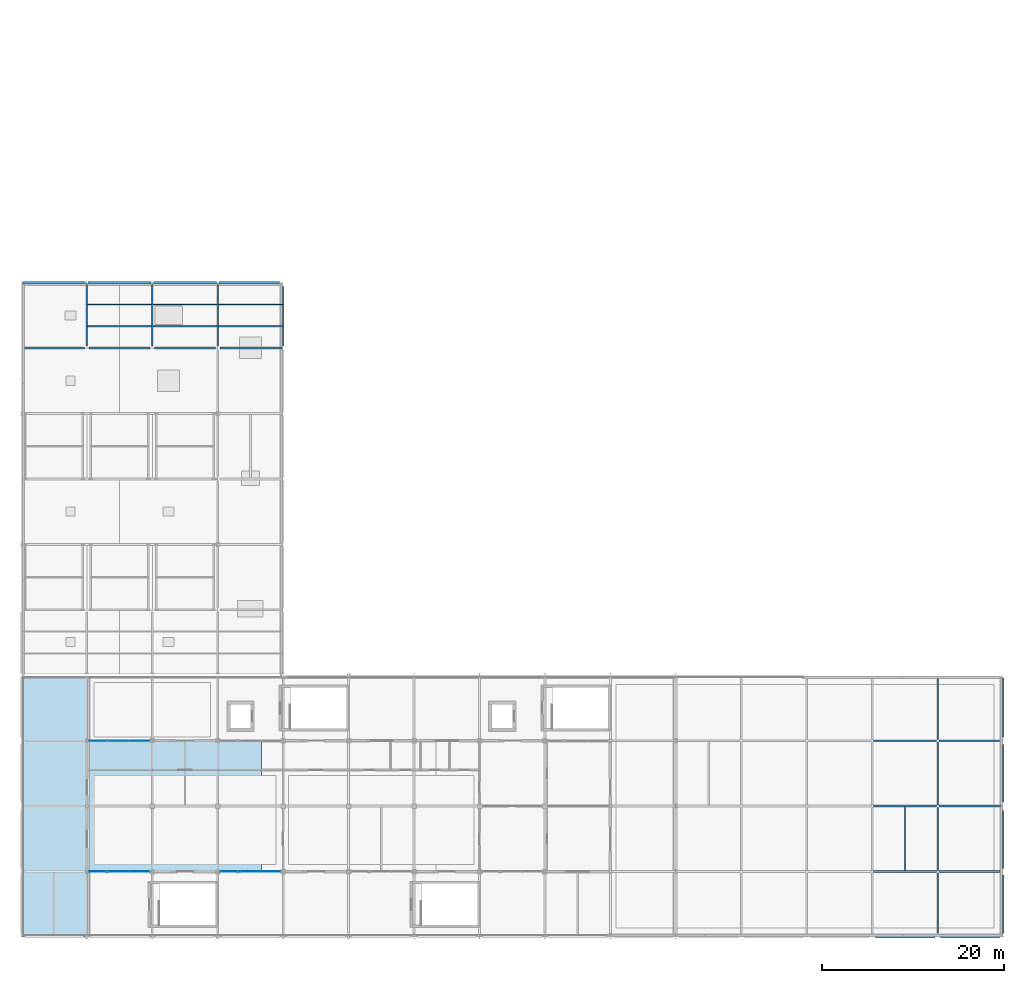
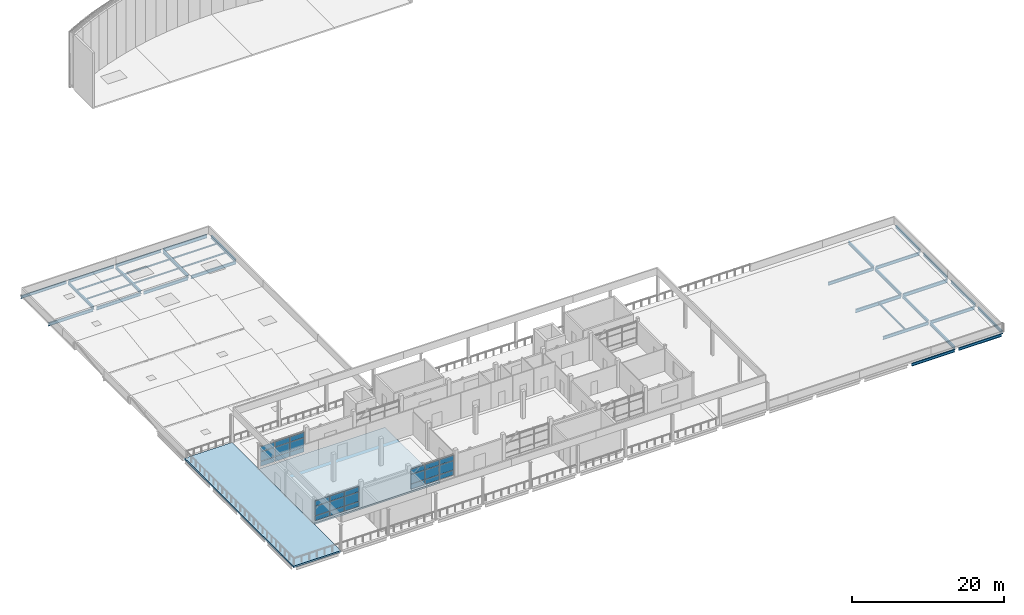
# One storey, part 15 of 32: 29 beams, 27 plates, 6 members, 2 slabs, 3 elements without a shape of their own.
"""IFC4 building model written with IfcOpenShell, lengths in metres."""

from ifc_helpers import new_model, si_unit, direction, frame, origin, origin_2d, place, context, subcontext, project, spatial, polyline, rectangle, i_section, outline, extrude, material, layer, layer_set, material_profile, profile_set, type_object, element, aggregate, save


model = new_model("IFC4")

# Units and contexts
model_context = context("Model", 3, precision=1e-05, world=origin(), true_north=direction((0.0, 1.0)))
body_context = subcontext(model_context, "Body", "Model", "MODEL_VIEW")
ifc_project = project(units=[si_unit("LENGTHUNIT", "METRE"), si_unit("AREAUNIT", "SQUARE_METRE"), si_unit("VOLUMEUNIT", "CUBIC_METRE"), si_unit("PLANEANGLEUNIT", "RADIAN"), si_unit("MASSUNIT", "GRAM", prefix="KILO")], contexts=[model_context])

# Site, building, storey
site_placement = place(None, origin())
site = spatial("IfcSite", under=ifc_project, at=site_placement, CompositionType="ELEMENT")
building_placement = place(site_placement, origin())
building = spatial("IfcBuilding", under=site, at=building_placement, Name="Sardonyx Promenade Sports Hall", CompositionType="ELEMENT")
storey_placement = place(building_placement, frame((0.0, 0.0, 20.39990234375)))
storey = spatial("IfcBuildingStorey", under=building, at=storey_placement, Name="L04", CompositionType="ELEMENT", Elevation=20.39990234375)

# Beams
ifc_material_1 = material(Name="Steel S355JR", Category="steel")
ifc_material_profile_1 = material_profile(ifc_material_1, i_section(OverallWidth=0.135009765625, OverallDepth=0.27001953125, WebThickness=0.006591796875, FlangeThickness=0.01025390625, at=origin_2d()))
ifc_profile_set_1 = profile_set([ifc_material_profile_1], Name="Steel S355JR")
beam_type_1 = type_object("IfcBeamType", Name="Bm_Joist_IPE270", PredefinedType="JOIST", material=ifc_profile_set_1)
beam_1_placement = place(storey_placement, frame((97.199951171875, 7.300048828125, -0.39501953125), z_axis=(0.0, 1.0, 0.0), x_axis=(-1.0, 0.0, 0.0)))
element("IfcBeam", 1, at=beam_1_placement, inside=storey, type_object=beam_type_1, Name="Secondary joist SJ01 L04 #1098", PredefinedType="JOIST", context=body_context, shape_type="SweptSolid", body=[
    extrude(i_section(OverallWidth=0.135009765625, OverallDepth=0.27001953125, WebThickness=0.006591796875, FlangeThickness=0.01025390625, at=origin_2d()), origin(), (0.0, 0.0, 1.0), 6.994873046875),
])
ifc_material_2 = material(Name="Steel S355JR", Category="steel")
ifc_material_profile_2 = material_profile(ifc_material_2, i_section(OverallWidth=0.199951171875, OverallDepth=0.5, WebThickness=0.01025390625, FlangeThickness=0.01611328125, at=origin_2d()))
ifc_profile_set_2 = profile_set([ifc_material_profile_2], Name="Steel S355JR")
beam_type_2 = type_object("IfcBeamType", Name="Bm_Primary_IPE500", PredefinedType="BEAM", material=ifc_profile_set_2)
beam_2_placement = place(storey_placement, frame((93.75, 7.199951171875, -0.510009765625), z_axis=(1.0, 0.0, 0.0), x_axis=(0.0, 1.0, 0.0)))
element("IfcBeam", 2, at=beam_2_placement, inside=storey, type_object=beam_type_2, Name="Beam SB06 L04 #964", PredefinedType="BEAM", context=body_context, shape_type="SweptSolid", body=[
    extrude(i_section(OverallWidth=0.199951171875, OverallDepth=0.5, WebThickness=0.01025390625, FlangeThickness=0.01611328125, at=origin_2d()), origin(), (0.0, 0.0, 1.0), 6.89990234375),
])
beam_3_placement = place(storey_placement, frame((100.949951171875, 7.199951171875, -0.510009765625), z_axis=(1.0, 0.0, 0.0), x_axis=(0.0, 1.0, 0.0)))
element("IfcBeam", 3, at=beam_3_placement, inside=storey, type_object=beam_type_2, Name="Beam SB06 L04 #965", PredefinedType="BEAM", context=body_context, shape_type="SweptSolid", body=[
    extrude(i_section(OverallWidth=0.199951171875, OverallDepth=0.5, WebThickness=0.01025390625, FlangeThickness=0.01611328125, at=origin_2d()), origin(), (0.0, 0.0, 1.0), 6.699951171875),
])
beam_4_placement = place(storey_placement, frame((93.75, 21.60009765625, -0.510009765625), z_axis=(1.0, 0.0, 0.0), x_axis=(0.0, 1.0, 0.0)))
element("IfcBeam", 4, at=beam_4_placement, inside=storey, type_object=beam_type_2, Name="Beam SB06 L04 #994", PredefinedType="BEAM", context=body_context, shape_type="SweptSolid", body=[
    extrude(i_section(OverallWidth=0.199951171875, OverallDepth=0.5, WebThickness=0.01025390625, FlangeThickness=0.01611328125, at=origin_2d()), origin(), (0.0, 0.0, 1.0), 6.89990234375),
])
beam_5_placement = place(storey_placement, frame((100.949951171875, 21.60009765625, -0.510009765625), z_axis=(1.0, 0.0, 0.0), x_axis=(0.0, 1.0, 0.0)))
element("IfcBeam", 5, at=beam_5_placement, inside=storey, type_object=beam_type_2, Name="Beam SB06 L04 #995", PredefinedType="BEAM", context=body_context, shape_type="SweptSolid", body=[
    extrude(i_section(OverallWidth=0.199951171875, OverallDepth=0.5, WebThickness=0.01025390625, FlangeThickness=0.01611328125, at=origin_2d()), origin(), (0.0, 0.0, 1.0), 6.650146484375),
])
beam_6_placement = place(storey_placement, frame((0.14990234375, 64.800048828125, -0.47998046875), z_axis=(1.0, 0.0, 0.0), x_axis=(0.0, 1.0, 0.0)))
element("IfcBeam", 6, at=beam_6_placement, inside=storey, type_object=beam_type_2, Name="Beam SB06 L04 #1003", PredefinedType="BEAM", context=body_context, shape_type="SweptSolid", body=[
    extrude(i_section(OverallWidth=0.199951171875, OverallDepth=0.5, WebThickness=0.01025390625, FlangeThickness=0.01611328125, at=origin_2d()), origin(), (0.0, 0.0, 1.0), 6.800048828125),
])
beam_7_placement = place(storey_placement, frame((7.449951171875, 64.800048828125, -0.47998046875), z_axis=(1.0, 0.0, 0.0), x_axis=(0.0, 1.0, 0.0)))
element("IfcBeam", 7, at=beam_7_placement, inside=storey, type_object=beam_type_2, Name="Beam SB06 L04 #1004", PredefinedType="BEAM", context=body_context, shape_type="SweptSolid", body=[
    extrude(i_section(OverallWidth=0.199951171875, OverallDepth=0.5, WebThickness=0.01025390625, FlangeThickness=0.01611328125, at=origin_2d()), origin(), (0.0, 0.0, 1.0), 6.699951171875),
])
beam_8_placement = place(storey_placement, frame((14.64990234375, 64.800048828125, -0.47998046875), z_axis=(1.0, 0.0, 0.0), x_axis=(0.0, 1.0, 0.0)))
element("IfcBeam", 8, at=beam_8_placement, inside=storey, type_object=beam_type_2, Name="Beam SB06 L04 #1005", PredefinedType="BEAM", context=body_context, shape_type="SweptSolid", body=[
    extrude(i_section(OverallWidth=0.199951171875, OverallDepth=0.5, WebThickness=0.01025390625, FlangeThickness=0.01611328125, at=origin_2d()), origin(), (0.0, 0.0, 1.0), 6.7001953125),
])
beam_9_placement = place(storey_placement, frame((21.85009765625, 64.800048828125, -0.47998046875), z_axis=(1.0, 0.0, 0.0), x_axis=(0.0, 1.0, 0.0)))
element("IfcBeam", 9, at=beam_9_placement, inside=storey, type_object=beam_type_2, Name="Beam SB06 L04 #1006", PredefinedType="BEAM", context=body_context, shape_type="SweptSolid", body=[
    extrude(i_section(OverallWidth=0.199951171875, OverallDepth=0.5, WebThickness=0.01025390625, FlangeThickness=0.01611328125, at=origin_2d()), origin(), (0.0, 0.0, 1.0), 6.7998046875),
])
for number, where, z_axis, x_axis, name in (
    (10, (7.199951171875, 65.050048828125, -0.47998046875), (0.0, 1.0, 0.0), (-1.0, 0.0, 0.0), "Beam SB06 L04 #1021"),
    (11, (14.39990234375, 65.050048828125, -0.47998046875), (0.0, 1.0, 0.0), (-1.0, 0.0, 0.0), "Beam SB06 L04 #1027"),
    (12, (21.60009765625, 65.050048828125, -0.47998046875), (0.0, 1.0, 0.0), (-1.0, 0.0, 0.0), "Beam SB06 L04 #1037"),
):
    element("IfcBeam", number, at=place(storey_placement, frame(where, z_axis=z_axis, x_axis=x_axis)), inside=storey, type_object=beam_type_2, Name=name, PredefinedType="BEAM", context=body_context, shape_type="SweptSolid", body=[
        extrude(i_section(OverallWidth=0.199951171875, OverallDepth=0.5, WebThickness=0.01025390625, FlangeThickness=0.01611328125, at=origin_2d()), origin(), (0.0, 0.0, 1.0), 6.72998046875),
    ])
beam_10_placement = place(storey_placement, frame((28.800048828125, 65.02001953125, -0.47998046875), z_axis=(0.0, 1.0, 0.0), x_axis=(-1.0, 0.0, 0.0)))
element("IfcBeam", 13, at=beam_10_placement, inside=storey, type_object=beam_type_2, Name="Beam SB06 L04 #1047", PredefinedType="BEAM", context=body_context, shape_type="SweptSolid", body=[
    extrude(i_section(OverallWidth=0.199951171875, OverallDepth=0.5, WebThickness=0.01025390625, FlangeThickness=0.01611328125, at=origin_2d()), origin(), (0.0, 0.0, 1.0), 6.530029296875),
])
beam_11_placement = place(storey_placement, frame((100.800048828125, 0.449951171875, -0.510009765625), z_axis=(0.0, 1.0, 0.0), x_axis=(-1.0, 0.0, 0.0)))
element("IfcBeam", 14, at=beam_11_placement, inside=storey, type_object=beam_type_2, Name="Beam SB06 L04 #1084", PredefinedType="BEAM", context=body_context, shape_type="SweptSolid", body=[
    extrude(i_section(OverallWidth=0.199951171875, OverallDepth=0.5, WebThickness=0.01025390625, FlangeThickness=0.01611328125, at=origin_2d()), origin(), (0.0, 0.0, 1.0), 6.60009765625),
])
for number, where, z_axis, x_axis, name in (
    (15, (100.800048828125, 7.35009765625, -0.510009765625), (0.0, 1.0, 0.0), (-1.0, 0.0, 0.0), "Beam SB06 L04 #1085"),
    (16, (100.800048828125, 14.550048828125, -0.510009765625), (0.0, 1.0, 0.0), (-1.0, 0.0, 0.0), "Beam SB06 L04 #1086"),
):
    element("IfcBeam", number, at=place(storey_placement, frame(where, z_axis=z_axis, x_axis=x_axis)), inside=storey, type_object=beam_type_2, Name=name, PredefinedType="BEAM", context=body_context, shape_type="SweptSolid", body=[
        extrude(i_section(OverallWidth=0.199951171875, OverallDepth=0.5, WebThickness=0.01025390625, FlangeThickness=0.01611328125, at=origin_2d()), origin(), (0.0, 0.0, 1.0), 6.89990234375),
    ])
beam_12_placement = place(storey_placement, frame((100.800048828125, 21.75, -0.510009765625), z_axis=(0.0, 1.0, 0.0), x_axis=(-1.0, 0.0, 0.0)))
element("IfcBeam", 17, at=beam_12_placement, inside=storey, type_object=beam_type_2, Name="Beam SB06 L04 #1087", PredefinedType="BEAM", context=body_context, shape_type="SweptSolid", body=[
    extrude(i_section(OverallWidth=0.199951171875, OverallDepth=0.5, WebThickness=0.01025390625, FlangeThickness=0.01611328125, at=origin_2d()), origin(), (0.0, 0.0, 1.0), 6.75),
])
ifc_material_3 = material(Name="Steel S355JR", Category="steel")
ifc_material_profile_3 = material_profile(ifc_material_3, i_section(OverallWidth=0.2099609375, OverallDepth=0.550048828125, WebThickness=0.010986328125, FlangeThickness=0.01708984375, at=origin_2d()))
ifc_profile_set_3 = profile_set([ifc_material_profile_3], Name="Steel S355JR")
beam_type_3 = type_object("IfcBeamType", Name="Bm_Primary_IPE550", PredefinedType="BEAM", material=ifc_profile_set_3)
beam_13_placement = place(storey_placement, frame((93.75, 14.39990234375, -0.534912109375), z_axis=(1.0, 0.0, 0.0), x_axis=(0.0, 1.0, 0.0)))
element("IfcBeam", 18, at=beam_13_placement, inside=storey, type_object=beam_type_3, Name="Beam SB03 L04 #979", PredefinedType="BEAM", context=body_context, shape_type="SweptSolid", body=[
    extrude(i_section(OverallWidth=0.2099609375, OverallDepth=0.550048828125, WebThickness=0.010986328125, FlangeThickness=0.01708984375, at=origin_2d()), origin(), (0.0, 0.0, 1.0), 6.89990234375),
])
beam_14_placement = place(storey_placement, frame((100.949951171875, 14.39990234375, -0.534912109375), z_axis=(1.0, 0.0, 0.0), x_axis=(0.0, 1.0, 0.0)))
element("IfcBeam", 19, at=beam_14_placement, inside=storey, type_object=beam_type_3, Name="Beam SB03 L04 #980", PredefinedType="BEAM", context=body_context, shape_type="SweptSolid", body=[
    extrude(i_section(OverallWidth=0.2099609375, OverallDepth=0.550048828125, WebThickness=0.010986328125, FlangeThickness=0.01708984375, at=origin_2d()), origin(), (0.0, 0.0, 1.0), 6.75),
])
beam_15_placement = place(storey_placement, frame((21.75, 72.0, -0.5048828125), z_axis=(1.0, 0.0, 0.0), x_axis=(0.0, 1.0, 0.0)))
element("IfcBeam", 20, at=beam_15_placement, inside=storey, type_object=beam_type_3, Name="Beam SB03 L04 #1010", PredefinedType="BEAM", context=body_context, shape_type="SweptSolid", body=[
    extrude(i_section(OverallWidth=0.2099609375, OverallDepth=0.550048828125, WebThickness=0.010986328125, FlangeThickness=0.01708984375, at=origin_2d()), origin(), (0.0, 0.0, 1.0), 6.64990234375),
])
ifc_material_4 = material(Name="Steel S355JR", Category="steel")
ifc_material_profile_4 = material_profile(ifc_material_4, i_section(OverallWidth=0.18994140625, OverallDepth=0.449951171875, WebThickness=0.009521484375, FlangeThickness=0.0146484375, at=origin_2d()))
ifc_profile_set_4 = profile_set([ifc_material_profile_4], Name="Steel S355JR")
beam_type_4 = type_object("IfcBeamType", Name="Bm_Spandrel_Steel", PredefinedType="SPANDREL", material=ifc_profile_set_4)
beam_16_placement = place(storey_placement, frame((93.949951171875, 0.0, -0.48486328125), z_axis=(1.0, 0.0, 0.0), x_axis=(0.0, 1.0, 0.0)))
element("IfcBeam", 21, at=beam_16_placement, inside=storey, type_object=beam_type_4, Name="Beam SPB3 L04 #949", PredefinedType="SPANDREL", context=body_context, shape_type="SweptSolid", body=[
    extrude(i_section(OverallWidth=0.18994140625, OverallDepth=0.449951171875, WebThickness=0.009521484375, FlangeThickness=0.0146484375, at=origin_2d()), origin(), (0.0, 0.0, 1.0), 6.550048828125),
])
beam_17_placement = place(storey_placement, frame((101.10009765625, 0.0, -0.48486328125), z_axis=(1.0, 0.0, 0.0), x_axis=(0.0, 1.0, 0.0)))
element("IfcBeam", 22, at=beam_17_placement, inside=storey, type_object=beam_type_4, Name="Beam SPB3 L04 #950", PredefinedType="SPANDREL", context=body_context, shape_type="SweptSolid", body=[
    extrude(i_section(OverallWidth=0.18994140625, OverallDepth=0.449951171875, WebThickness=0.009521484375, FlangeThickness=0.0146484375, at=origin_2d()), origin(), (0.0, 0.0, 1.0), 6.5),
])
beam_18_placement = place(storey_placement, frame((0.14990234375, 72.0, -0.454833984375), z_axis=(1.0, 0.0, 0.0), x_axis=(0.0, 1.0, 0.0)))
element("IfcBeam", 23, at=beam_18_placement, inside=storey, type_object=beam_type_4, Name="Beam SPB3 L04 #1007", PredefinedType="SPANDREL", context=body_context, shape_type="SweptSolid", body=[
    extrude(i_section(OverallWidth=0.18994140625, OverallDepth=0.449951171875, WebThickness=0.009521484375, FlangeThickness=0.0146484375, at=origin_2d()), origin(), (0.0, 0.0, 1.0), 6.900146484375),
])
for number, where, z_axis, x_axis, name in (
    (24, (7.35009765625, 72.0, -0.454833984375), (1.0, 0.0, 0.0), (0.0, 1.0, 0.0), "Beam SPB3 L04 #1008"),
    (25, (14.550048828125, 72.0, -0.454833984375), (1.0, 0.0, 0.0), (0.0, 1.0, 0.0), "Beam SPB3 L04 #1009"),
):
    element("IfcBeam", number, at=place(storey_placement, frame(where, z_axis=z_axis, x_axis=x_axis)), inside=storey, type_object=beam_type_4, Name=name, PredefinedType="SPANDREL", context=body_context, shape_type="SweptSolid", body=[
        extrude(i_section(OverallWidth=0.18994140625, OverallDepth=0.449951171875, WebThickness=0.009521484375, FlangeThickness=0.0146484375, at=origin_2d()), origin(), (0.0, 0.0, 1.0), 6.89990234375),
    ])
beam_19_placement = place(storey_placement, frame((108.0, 0.39990234375, -0.48486328125), z_axis=(0.0, 1.0, 0.0), x_axis=(-1.0, 0.0, 0.0)))
element("IfcBeam", 26, at=beam_19_placement, inside=storey, type_object=beam_type_4, Name="Beam SPB3 L04 #1088", PredefinedType="SPANDREL", context=body_context, shape_type="SweptSolid", body=[
    extrude(i_section(OverallWidth=0.18994140625, OverallDepth=0.449951171875, WebThickness=0.009521484375, FlangeThickness=0.0146484375, at=origin_2d()), origin(), (0.0, 0.0, 1.0), 6.4501953125),
])
beam_20_placement = place(storey_placement, frame((108.0, 7.550048828125, -0.48486328125), z_axis=(0.0, 1.0, 0.0), x_axis=(-1.0, 0.0, 0.0)))
element("IfcBeam", 27, at=beam_20_placement, inside=storey, type_object=beam_type_4, Name="Beam SPB3 L04 #1089", PredefinedType="SPANDREL", context=body_context, shape_type="SweptSolid", body=[
    extrude(i_section(OverallWidth=0.18994140625, OverallDepth=0.449951171875, WebThickness=0.009521484375, FlangeThickness=0.0146484375, at=origin_2d()), origin(), (0.0, 0.0, 1.0), 6.39990234375),
])
beam_21_placement = place(storey_placement, frame((108.0, 14.85009765625, -0.48486328125), z_axis=(0.0, 1.0, 0.0), x_axis=(-1.0, 0.0, 0.0)))
element("IfcBeam", 28, at=beam_21_placement, inside=storey, type_object=beam_type_4, Name="Beam SPB3 L04 #1090", PredefinedType="SPANDREL", context=body_context, shape_type="SweptSolid", body=[
    extrude(i_section(OverallWidth=0.18994140625, OverallDepth=0.449951171875, WebThickness=0.009521484375, FlangeThickness=0.0146484375, at=origin_2d()), origin(), (0.0, 0.0, 1.0), 6.349853515625),
])
beam_22_placement = place(storey_placement, frame((108.0, 22.0, -0.48486328125), z_axis=(0.0, 1.0, 0.0), x_axis=(-1.0, 0.0, 0.0)))
element("IfcBeam", 29, at=beam_22_placement, inside=storey, type_object=beam_type_4, Name="Beam SPB3 L04 #1091", PredefinedType="SPANDREL", context=body_context, shape_type="SweptSolid", body=[
    extrude(i_section(OverallWidth=0.18994140625, OverallDepth=0.449951171875, WebThickness=0.009521484375, FlangeThickness=0.0146484375, at=origin_2d()), origin(), (0.0, 0.0, 1.0), 6.5),
])

# Members
ifc_material_5 = material(Name="Steel S355JR", Category="steel")
ifc_material_profile_5 = material_profile(ifc_material_5, i_section(OverallWidth=0.1201171875, OverallDepth=0.239990234375, WebThickness=0.006103515625, FlangeThickness=0.009765625, at=origin_2d()))
ifc_profile_set_5 = profile_set([ifc_material_profile_5], Name="Steel S355JR")
member_type = type_object("IfcMemberType", Name="Mbr_Purlin_IPE240", PredefinedType="PURLIN", material=ifc_profile_set_5)
for number, where, z_axis, x_axis, name in (
    (30, (7.298095703125, 67.199951171875, -0.349853515625), (1.0, 0.0, 0.0), (0.0, 1.0, 0.0), "Roof purlin PR01 L04 #5"),
    (31, (7.298095703125, 69.60009765625, -0.349853515625), (1.0, 0.0, 0.0), (0.0, 1.0, 0.0), "Roof purlin PR01 L04 #6"),
    (32, (14.498046875, 67.199951171875, -0.349853515625), (1.0, 0.0, 0.0), (0.0, 1.0, 0.0), "Roof purlin PR01 L04 #9"),
    (33, (14.498046875, 69.60009765625, -0.349853515625), (1.0, 0.0, 0.0), (0.0, 1.0, 0.0), "Roof purlin PR01 L04 #10"),
    (34, (21.697998046875, 67.199951171875, -0.349853515625), (1.0, 0.0, 0.0), (0.0, 1.0, 0.0), "Roof purlin PR01 L04 #13"),
    (35, (21.697998046875, 69.60009765625, -0.349853515625), (1.0, 0.0, 0.0), (0.0, 1.0, 0.0), "Roof purlin PR01 L04 #14"),
):
    element("IfcMember", number, at=place(storey_placement, frame(where, z_axis=z_axis, x_axis=x_axis)), inside=storey, type_object=member_type, Name=name, PredefinedType="PURLIN", context=body_context, shape_type="SweptSolid", body=[
        extrude(i_section(OverallWidth=0.1201171875, OverallDepth=0.239990234375, WebThickness=0.006103515625, FlangeThickness=0.009765625, at=origin_2d()), origin(), (0.0, 0.0, 1.0), 7.00390625),
    ])

# Curtain wall, plates
ifc_material_6 = material(Name="Aluminium 6063-T6", Category="aluminium")
curtain_wall_type = type_object("IfcCurtainWallType", Name="CW_Pavilion_L04_640", PredefinedType="USERDEFINED", material=ifc_material_6)
curtain_wall_1_placement = place(storey_placement, origin())
curtain_wall_1 = element("IfcCurtainWall", 36, at=curtain_wall_1_placement, inside=storey, type_object=curtain_wall_type, Name="Curtain wall CW10 cw:L04:168", ObjectType="CURTAIN WALL", PredefinedType="USERDEFINED")
ifc_material_7 = material(Name="Triple-glazed harbour solar IGU 40 mm", Category="glass")
ifc_layer_1 = layer(ifc_material_7, 0.0400390625)
ifc_layer_set_1 = layer_set([ifc_layer_1], Name="CW_Pan_Glz_40")
plate_type = type_object("IfcPlateType", Name="CW_Pan_Glz_40", PredefinedType="CURTAIN_PANEL", material=ifc_layer_set_1)
plate_1_placement = place(storey_placement, frame((8.526611328125, 21.60009765625, 0.35986328125), z_axis=(0.0, 0.0, 1.0), x_axis=(1.0, 0.0, 0.0)))
plate_1 = element("IfcPlate", 37, at=plate_1_placement, type_object=plate_type, Name="Curtain panel CP04 cw:L04:168 #1", PredefinedType="CURTAIN_PANEL", context=body_context, shape_type="SweptSolid", body=[
    extrude(rectangle(XDim=2.16943359375, YDim=0.0400390625, at=origin_2d()), origin(), (0.0, 0.0, 1.0), 0.760009765625),
])
plate_2_placement = place(storey_placement, frame((8.526611328125, 21.60009765625, 1.18017578125), z_axis=(0.0, 0.0, 1.0), x_axis=(1.0, 0.0, 0.0)))
plate_2 = element("IfcPlate", 38, at=plate_2_placement, type_object=plate_type, Name="Curtain panel CP04 cw:L04:168 #2", PredefinedType="CURTAIN_PANEL", context=body_context, shape_type="SweptSolid", body=[
    extrude(rectangle(XDim=2.16943359375, YDim=0.0400390625, at=origin_2d()), origin(), (0.0, 0.0, 1.0), 1.489990234375),
])
plate_3_placement = place(storey_placement, frame((8.526611328125, 21.60009765625, 2.72998046875), z_axis=(0.0, 0.0, 1.0), x_axis=(1.0, 0.0, 0.0)))
plate_3 = element("IfcPlate", 39, at=plate_3_placement, type_object=plate_type, Name="Curtain panel CP04 cw:L04:168 #3", PredefinedType="CURTAIN_PANEL", context=body_context, shape_type="SweptSolid", body=[
    extrude(rectangle(XDim=2.16943359375, YDim=0.0400390625, at=origin_2d()), origin(), (0.0, 0.0, 1.0), 0.81005859375),
])
plate_4_placement = place(storey_placement, frame((10.755859375, 21.60009765625, 0.35986328125), z_axis=(0.0, 0.0, 1.0), x_axis=(1.0, 0.0, 0.0)))
plate_4 = element("IfcPlate", 40, at=plate_4_placement, type_object=plate_type, Name="Curtain panel CP04 cw:L04:168 #4", PredefinedType="CURTAIN_PANEL", context=body_context, shape_type="SweptSolid", body=[
    extrude(rectangle(XDim=2.16943359375, YDim=0.0400390625, at=origin_2d()), origin(), (0.0, 0.0, 1.0), 0.760009765625),
])
plate_5_placement = place(storey_placement, frame((10.755859375, 21.60009765625, 1.18017578125), z_axis=(0.0, 0.0, 1.0), x_axis=(1.0, 0.0, 0.0)))
plate_5 = element("IfcPlate", 41, at=plate_5_placement, type_object=plate_type, Name="Curtain panel CP04 cw:L04:168 #5", PredefinedType="CURTAIN_PANEL", context=body_context, shape_type="SweptSolid", body=[
    extrude(rectangle(XDim=2.16943359375, YDim=0.0400390625, at=origin_2d()), origin(), (0.0, 0.0, 1.0), 1.489990234375),
])
plate_6_placement = place(storey_placement, frame((10.755859375, 21.60009765625, 2.72998046875), z_axis=(0.0, 0.0, 1.0), x_axis=(1.0, 0.0, 0.0)))
plate_6 = element("IfcPlate", 42, at=plate_6_placement, type_object=plate_type, Name="Curtain panel CP04 cw:L04:168 #6", PredefinedType="CURTAIN_PANEL", context=body_context, shape_type="SweptSolid", body=[
    extrude(rectangle(XDim=2.16943359375, YDim=0.0400390625, at=origin_2d()), origin(), (0.0, 0.0, 1.0), 0.81005859375),
])
plate_7_placement = place(storey_placement, frame((12.9853515625, 21.60009765625, 0.35986328125), z_axis=(0.0, 0.0, 1.0), x_axis=(1.0, 0.0, 0.0)))
plate_7 = element("IfcPlate", 43, at=plate_7_placement, type_object=plate_type, Name="Curtain panel CP04 cw:L04:168 #7", PredefinedType="CURTAIN_PANEL", context=body_context, shape_type="SweptSolid", body=[
    extrude(rectangle(XDim=2.16943359375, YDim=0.0400390625, at=origin_2d()), origin(), (0.0, 0.0, 1.0), 0.760009765625),
])
plate_8_placement = place(storey_placement, frame((12.9853515625, 21.60009765625, 1.18017578125), z_axis=(0.0, 0.0, 1.0), x_axis=(1.0, 0.0, 0.0)))
plate_8 = element("IfcPlate", 44, at=plate_8_placement, type_object=plate_type, Name="Curtain panel CP04 cw:L04:168 #8", PredefinedType="CURTAIN_PANEL", context=body_context, shape_type="SweptSolid", body=[
    extrude(rectangle(XDim=2.16943359375, YDim=0.0400390625, at=origin_2d()), origin(), (0.0, 0.0, 1.0), 1.489990234375),
])
plate_9_placement = place(storey_placement, frame((12.9853515625, 21.60009765625, 2.72998046875), z_axis=(0.0, 0.0, 1.0), x_axis=(1.0, 0.0, 0.0)))
plate_9 = element("IfcPlate", 45, at=plate_9_placement, type_object=plate_type, Name="Curtain panel CP04 cw:L04:168 #9", PredefinedType="CURTAIN_PANEL", context=body_context, shape_type="SweptSolid", body=[
    extrude(rectangle(XDim=2.16943359375, YDim=0.0400390625, at=origin_2d()), origin(), (0.0, 0.0, 1.0), 0.81005859375),
])
aggregate(curtain_wall_1, [plate_1, plate_2, plate_3, plate_4, plate_5, plate_6, plate_7, plate_8, plate_9])

curtain_wall_2_placement = place(storey_placement, origin())
curtain_wall_2 = element("IfcCurtainWall", 46, at=curtain_wall_2_placement, inside=storey, type_object=curtain_wall_type, Name="Curtain wall CW10 cw:L04:173", ObjectType="CURTAIN WALL", PredefinedType="USERDEFINED")
plate_10_placement = place(storey_placement, frame((27.39990234375, 7.199951171875, 0.35986328125), z_axis=(0.0, 0.0, 1.0), x_axis=(-1.0, 0.0, 0.0)))
plate_10 = element("IfcPlate", 47, at=plate_10_placement, type_object=plate_type, Name="Curtain panel CP04 cw:L04:173 #1", PredefinedType="CURTAIN_PANEL", context=body_context, shape_type="SweptSolid", body=[
    extrude(rectangle(XDim=2.139892578125, YDim=0.0400390625, at=origin_2d()), origin(), (0.0, 0.0, 1.0), 0.760009765625),
])
plate_11_placement = place(storey_placement, frame((27.39990234375, 7.199951171875, 1.18017578125), z_axis=(0.0, 0.0, 1.0), x_axis=(-1.0, 0.0, 0.0)))
plate_11 = element("IfcPlate", 48, at=plate_11_placement, type_object=plate_type, Name="Curtain panel CP04 cw:L04:173 #2", PredefinedType="CURTAIN_PANEL", context=body_context, shape_type="SweptSolid", body=[
    extrude(rectangle(XDim=2.139892578125, YDim=0.0400390625, at=origin_2d()), origin(), (0.0, 0.0, 1.0), 1.489990234375),
])
plate_12_placement = place(storey_placement, frame((27.39990234375, 7.199951171875, 2.72998046875), z_axis=(0.0, 0.0, 1.0), x_axis=(-1.0, 0.0, 0.0)))
plate_12 = element("IfcPlate", 49, at=plate_12_placement, type_object=plate_type, Name="Curtain panel CP04 cw:L04:173 #3", PredefinedType="CURTAIN_PANEL", context=body_context, shape_type="SweptSolid", body=[
    extrude(rectangle(XDim=2.139892578125, YDim=0.0400390625, at=origin_2d()), origin(), (0.0, 0.0, 1.0), 0.81005859375),
])
plate_13_placement = place(storey_placement, frame((25.199951171875, 7.199951171875, 0.35986328125), z_axis=(0.0, 0.0, 1.0), x_axis=(-1.0, 0.0, 0.0)))
plate_13 = element("IfcPlate", 50, at=plate_13_placement, type_object=plate_type, Name="Curtain panel CP04 cw:L04:173 #4", PredefinedType="CURTAIN_PANEL", context=body_context, shape_type="SweptSolid", body=[
    extrude(rectangle(XDim=2.139892578125, YDim=0.0400390625, at=origin_2d()), origin(), (0.0, 0.0, 1.0), 0.760009765625),
])
plate_14_placement = place(storey_placement, frame((25.199951171875, 7.199951171875, 1.18017578125), z_axis=(0.0, 0.0, 1.0), x_axis=(-1.0, 0.0, 0.0)))
plate_14 = element("IfcPlate", 51, at=plate_14_placement, type_object=plate_type, Name="Curtain panel CP04 cw:L04:173 #5", PredefinedType="CURTAIN_PANEL", context=body_context, shape_type="SweptSolid", body=[
    extrude(rectangle(XDim=2.139892578125, YDim=0.0400390625, at=origin_2d()), origin(), (0.0, 0.0, 1.0), 1.489990234375),
])
plate_15_placement = place(storey_placement, frame((25.199951171875, 7.199951171875, 2.72998046875), z_axis=(0.0, 0.0, 1.0), x_axis=(-1.0, 0.0, 0.0)))
plate_15 = element("IfcPlate", 52, at=plate_15_placement, type_object=plate_type, Name="Curtain panel CP04 cw:L04:173 #6", PredefinedType="CURTAIN_PANEL", context=body_context, shape_type="SweptSolid", body=[
    extrude(rectangle(XDim=2.139892578125, YDim=0.0400390625, at=origin_2d()), origin(), (0.0, 0.0, 1.0), 0.81005859375),
])
plate_16_placement = place(storey_placement, frame((23.0, 7.199951171875, 0.35986328125), z_axis=(0.0, 0.0, 1.0), x_axis=(-1.0, 0.0, 0.0)))
plate_16 = element("IfcPlate", 53, at=plate_16_placement, type_object=plate_type, Name="Curtain panel CP04 cw:L04:173 #7", PredefinedType="CURTAIN_PANEL", context=body_context, shape_type="SweptSolid", body=[
    extrude(rectangle(XDim=2.139892578125, YDim=0.0400390625, at=origin_2d()), origin(), (0.0, 0.0, 1.0), 0.760009765625),
])
plate_17_placement = place(storey_placement, frame((23.0, 7.199951171875, 1.18017578125), z_axis=(0.0, 0.0, 1.0), x_axis=(-1.0, 0.0, 0.0)))
plate_17 = element("IfcPlate", 54, at=plate_17_placement, type_object=plate_type, Name="Curtain panel CP04 cw:L04:173 #8", PredefinedType="CURTAIN_PANEL", context=body_context, shape_type="SweptSolid", body=[
    extrude(rectangle(XDim=2.139892578125, YDim=0.0400390625, at=origin_2d()), origin(), (0.0, 0.0, 1.0), 1.489990234375),
])
plate_18_placement = place(storey_placement, frame((23.0, 7.199951171875, 2.72998046875), z_axis=(0.0, 0.0, 1.0), x_axis=(-1.0, 0.0, 0.0)))
plate_18 = element("IfcPlate", 55, at=plate_18_placement, type_object=plate_type, Name="Curtain panel CP04 cw:L04:173 #9", PredefinedType="CURTAIN_PANEL", context=body_context, shape_type="SweptSolid", body=[
    extrude(rectangle(XDim=2.139892578125, YDim=0.0400390625, at=origin_2d()), origin(), (0.0, 0.0, 1.0), 0.81005859375),
])
aggregate(curtain_wall_2, [plate_10, plate_11, plate_12, plate_13, plate_14, plate_15, plate_16, plate_17, plate_18])

curtain_wall_3_placement = place(storey_placement, origin())
curtain_wall_3 = element("IfcCurtainWall", 56, at=curtain_wall_3_placement, inside=storey, type_object=curtain_wall_type, Name="Curtain wall CW10 cw:L04:174", ObjectType="CURTAIN WALL", PredefinedType="USERDEFINED")
plate_19_placement = place(storey_placement, frame((12.9853515625, 7.199951171875, 0.35986328125), z_axis=(0.0, 0.0, 1.0), x_axis=(-1.0, 0.0, 0.0)))
plate_19 = element("IfcPlate", 57, at=plate_19_placement, type_object=plate_type, Name="Curtain panel CP04 cw:L04:174 #1", PredefinedType="CURTAIN_PANEL", context=body_context, shape_type="SweptSolid", body=[
    extrude(rectangle(XDim=2.16943359375, YDim=0.0400390625, at=origin_2d()), origin(), (0.0, 0.0, 1.0), 0.760009765625),
])
plate_20_placement = place(storey_placement, frame((12.9853515625, 7.199951171875, 1.18017578125), z_axis=(0.0, 0.0, 1.0), x_axis=(-1.0, 0.0, 0.0)))
plate_20 = element("IfcPlate", 58, at=plate_20_placement, type_object=plate_type, Name="Curtain panel CP04 cw:L04:174 #2", PredefinedType="CURTAIN_PANEL", context=body_context, shape_type="SweptSolid", body=[
    extrude(rectangle(XDim=2.16943359375, YDim=0.0400390625, at=origin_2d()), origin(), (0.0, 0.0, 1.0), 1.489990234375),
])
plate_21_placement = place(storey_placement, frame((12.9853515625, 7.199951171875, 2.72998046875), z_axis=(0.0, 0.0, 1.0), x_axis=(-1.0, 0.0, 0.0)))
plate_21 = element("IfcPlate", 59, at=plate_21_placement, type_object=plate_type, Name="Curtain panel CP04 cw:L04:174 #3", PredefinedType="CURTAIN_PANEL", context=body_context, shape_type="SweptSolid", body=[
    extrude(rectangle(XDim=2.16943359375, YDim=0.0400390625, at=origin_2d()), origin(), (0.0, 0.0, 1.0), 0.81005859375),
])
plate_22_placement = place(storey_placement, frame((10.755859375, 7.199951171875, 0.35986328125), z_axis=(0.0, 0.0, 1.0), x_axis=(-1.0, 0.0, 0.0)))
plate_22 = element("IfcPlate", 60, at=plate_22_placement, type_object=plate_type, Name="Curtain panel CP04 cw:L04:174 #4", PredefinedType="CURTAIN_PANEL", context=body_context, shape_type="SweptSolid", body=[
    extrude(rectangle(XDim=2.16943359375, YDim=0.0400390625, at=origin_2d()), origin(), (0.0, 0.0, 1.0), 0.760009765625),
])
plate_23_placement = place(storey_placement, frame((10.755859375, 7.199951171875, 1.18017578125), z_axis=(0.0, 0.0, 1.0), x_axis=(-1.0, 0.0, 0.0)))
plate_23 = element("IfcPlate", 61, at=plate_23_placement, type_object=plate_type, Name="Curtain panel CP04 cw:L04:174 #5", PredefinedType="CURTAIN_PANEL", context=body_context, shape_type="SweptSolid", body=[
    extrude(rectangle(XDim=2.16943359375, YDim=0.0400390625, at=origin_2d()), origin(), (0.0, 0.0, 1.0), 1.489990234375),
])
plate_24_placement = place(storey_placement, frame((10.755859375, 7.199951171875, 2.72998046875), z_axis=(0.0, 0.0, 1.0), x_axis=(-1.0, 0.0, 0.0)))
plate_24 = element("IfcPlate", 62, at=plate_24_placement, type_object=plate_type, Name="Curtain panel CP04 cw:L04:174 #6", PredefinedType="CURTAIN_PANEL", context=body_context, shape_type="SweptSolid", body=[
    extrude(rectangle(XDim=2.16943359375, YDim=0.0400390625, at=origin_2d()), origin(), (0.0, 0.0, 1.0), 0.81005859375),
])
plate_25_placement = place(storey_placement, frame((8.526611328125, 7.199951171875, 0.35986328125), z_axis=(0.0, 0.0, 1.0), x_axis=(-1.0, 0.0, 0.0)))
plate_25 = element("IfcPlate", 63, at=plate_25_placement, type_object=plate_type, Name="Curtain panel CP04 cw:L04:174 #7", PredefinedType="CURTAIN_PANEL", context=body_context, shape_type="SweptSolid", body=[
    extrude(rectangle(XDim=2.16943359375, YDim=0.0400390625, at=origin_2d()), origin(), (0.0, 0.0, 1.0), 0.760009765625),
])
plate_26_placement = place(storey_placement, frame((8.526611328125, 7.199951171875, 1.18017578125), z_axis=(0.0, 0.0, 1.0), x_axis=(-1.0, 0.0, 0.0)))
plate_26 = element("IfcPlate", 64, at=plate_26_placement, type_object=plate_type, Name="Curtain panel CP04 cw:L04:174 #8", PredefinedType="CURTAIN_PANEL", context=body_context, shape_type="SweptSolid", body=[
    extrude(rectangle(XDim=2.16943359375, YDim=0.0400390625, at=origin_2d()), origin(), (0.0, 0.0, 1.0), 1.489990234375),
])
plate_27_placement = place(storey_placement, frame((8.526611328125, 7.199951171875, 2.72998046875), z_axis=(0.0, 0.0, 1.0), x_axis=(-1.0, 0.0, 0.0)))
plate_27 = element("IfcPlate", 65, at=plate_27_placement, type_object=plate_type, Name="Curtain panel CP04 cw:L04:174 #9", PredefinedType="CURTAIN_PANEL", context=body_context, shape_type="SweptSolid", body=[
    extrude(rectangle(XDim=2.16943359375, YDim=0.0400390625, at=origin_2d()), origin(), (0.0, 0.0, 1.0), 0.81005859375),
])
aggregate(curtain_wall_3, [plate_19, plate_20, plate_21, plate_22, plate_23, plate_24, plate_25, plate_26, plate_27])

# Slabs
ifc_material_8 = material(Name="Concrete C40/50", Category="concrete")
ifc_layer_2 = layer(ifc_material_8, 0.260009765625)
ifc_layer_set_2 = layer_set([ifc_layer_2], Name="Slab_Ext_Track_260")
slab_type_1 = type_object("IfcSlabType", Name="Slab_Ext_Track_260", PredefinedType="FLOOR", material=ifc_layer_set_2)
slab_1_placement = place(storey_placement, frame((0.0, 0.0, -0.260009765625)))
element("IfcSlab", 66, at=slab_1_placement, inside=storey, type_object=slab_type_1, Name="Rooftop running track west bend L04", PredefinedType="FLOOR", context=body_context, shape_type="SweptSolid", body=[
    extrude(outline(polyline([(0.0, 0.0), (7.199951171875, 0.0), (7.199951171875, 28.64990234375), (0.0, 28.64990234375), (0.0, 0.0)])), origin(), (0.0, 0.0, 1.0), 0.260009765625),
])
ifc_material_9 = material(Name="Concrete C40/50", Category="concrete")
ifc_layer_3 = layer(ifc_material_9, 0.27001953125)
ifc_layer_set_3 = layer_set([ifc_layer_3], Name="Slab_Floor_Studio_250")
slab_type_2 = type_object("IfcSlabType", Name="Slab_Floor_Studio_250", PredefinedType="FLOOR", material=ifc_layer_set_3)
slab_2_placement = place(storey_placement, frame((0.0, 0.0, -0.27001953125)))
element("IfcSlab", 67, at=slab_2_placement, inside=storey, type_object=slab_type_2, Name="Slab FS03 L04 #206", PredefinedType="FLOOR", context=body_context, shape_type="SweptSolid", body=[
    extrude(outline(polyline([(7.199951171875, 7.199951171875), (26.39990234375, 7.199951171875), (26.39990234375, 21.60009765625), (7.199951171875, 21.60009765625), (7.199951171875, 7.199951171875)])), origin(), (0.0, 0.0, 1.0), 0.27001953125),
])

save(model, "model.ifc")
